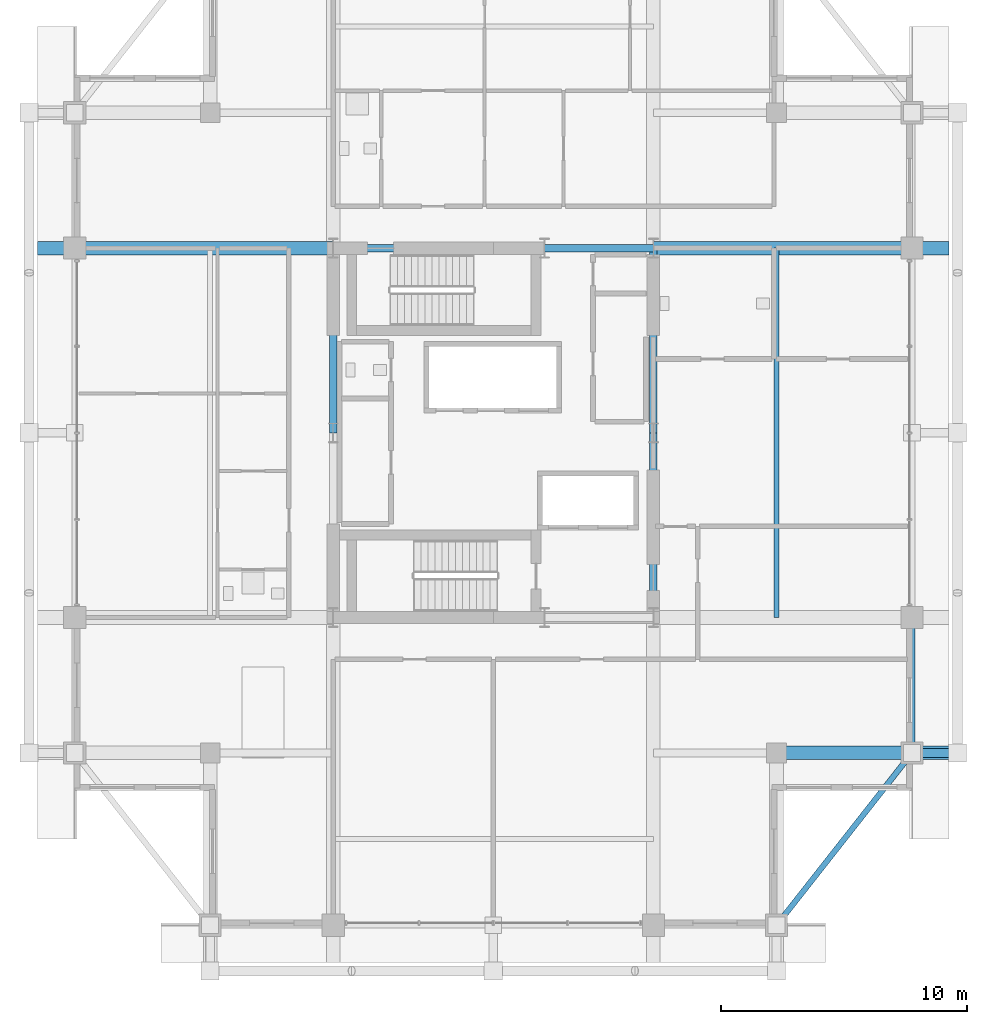
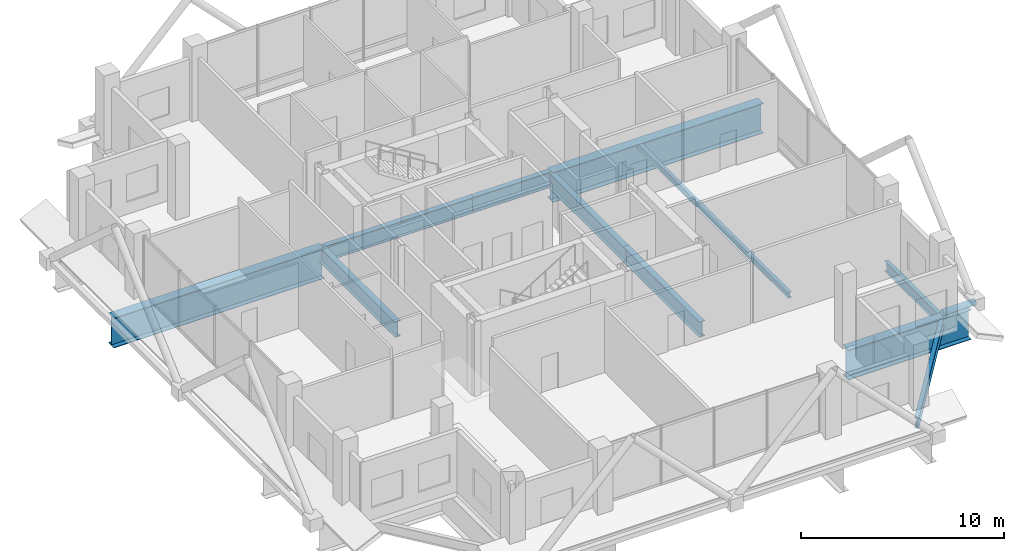
# One storey, part 12 of 27: 11 beams, 1 member.
"""IFC4 building model written with IfcOpenShell, lengths in metres."""

from ifc_helpers import new_model, si_unit, direction, frame, origin, origin_2d, place, context, subcontext, project, spatial, hollow_circle, i_section, extrude, material, material_profile, profile_set, type_object, element, save


model = new_model("IFC4")

# Units and contexts
model_context = context("Model", 3, precision=1e-05, world=origin(), true_north=direction((0.0, 1.0)))
body_context = subcontext(model_context, "Body", "Model", "MODEL_VIEW")
ifc_project = project(units=[si_unit("LENGTHUNIT", "METRE"), si_unit("AREAUNIT", "SQUARE_METRE"), si_unit("VOLUMEUNIT", "CUBIC_METRE"), si_unit("PLANEANGLEUNIT", "RADIAN"), si_unit("MASSUNIT", "GRAM", prefix="KILO")], contexts=[model_context])

# Site, building, storey
site_placement = place(None, origin())
site = spatial("IfcSite", under=ifc_project, at=site_placement, CompositionType="ELEMENT")
building_placement = place(site_placement, origin())
building = spatial("IfcBuilding", under=site, at=building_placement, Name="Barlavira Tower and Art Museum", CompositionType="ELEMENT")
storey_placement = place(building_placement, frame((0.0, 0.0, 217.800048828125)))
storey = spatial("IfcBuildingStorey", under=building, at=storey_placement, Name="L56", CompositionType="ELEMENT", Elevation=217.800048828125)

# Member
ifc_material = material(Name="Steel S355", Category="steel")
ifc_material_profile_1 = material_profile(ifc_material, hollow_circle(Radius=0.177734375, WallThickness=0.01611328125, at=origin_2d()), Name="CHS 355.6x16.0")
ifc_profile_set_1 = profile_set([ifc_material_profile_1], Name="Steel S355")
member_type = type_object("IfcMemberType", Name="Pale-Metal Exoskeleton Tie Strut CHS 356x16 Steel S355", PredefinedType="STRUT", material=ifc_profile_set_1)
member_placement = place(storey_placement, frame((18.85009765625, -13.0, -0.1201171875), z_axis=(-1.0, 0.0, 0.0), x_axis=(0.0, -1.0, 0.0)))
element("IfcMember", 1, at=member_placement, inside=storey, type_object=member_type, Name="L56 Exoskeleton Tie Strut E1", PredefinedType="STRUT", context=body_context, shape_type="SweptSolid", body=[
    extrude(hollow_circle(Radius=0.177734375, WallThickness=0.01611328125, at=origin_2d()), origin(), (0.0, 0.0, 1.0), 1.85009765625),
])

# Beams
ifc_material_profile_2 = material_profile(ifc_material, i_section(OverallWidth=0.30908203125, OverallDepth=0.931884765625, WebThickness=0.01953125, FlangeThickness=0.034423828125, at=origin_2d()), Name="W920x313.0")
ifc_profile_set_2 = profile_set([ifc_material_profile_2], Name="Steel S355")
beam_type_1 = type_object("IfcBeamType", Name="Setback Ring Girder W920x313 Steel S355", PredefinedType="BEAM", material=ifc_profile_set_2)
beam_1_placement = place(storey_placement, frame((-6.5, 7.5, -0.76611328125), z_axis=(1.0, 0.0, 0.0), x_axis=(0.0, 1.0, 0.0)))
element("IfcBeam", 2, at=beam_1_placement, inside=storey, type_object=beam_type_1, Name="L56 Girder C-N1", PredefinedType="BEAM", context=body_context, shape_type="SweptSolid", body=[
    extrude(i_section(OverallWidth=0.30908203125, OverallDepth=0.931884765625, WebThickness=0.01953125, FlangeThickness=0.034423828125, at=origin_2d()), origin(), (0.0, 0.0, 1.0), 8.580078125),
])
beam_2_placement = place(storey_placement, frame((2.080078125, 7.5, -0.76611328125), z_axis=(1.0, 0.0, 0.0), x_axis=(0.0, 1.0, 0.0)))
element("IfcBeam", 3, at=beam_2_placement, inside=storey, type_object=beam_type_1, Name="L56 Girder C-N2", PredefinedType="BEAM", context=body_context, shape_type="SweptSolid", body=[
    extrude(i_section(OverallWidth=0.30908203125, OverallDepth=0.931884765625, WebThickness=0.01953125, FlangeThickness=0.034423828125, at=origin_2d()), origin(), (0.0, 0.0, 1.0), 4.419921875),
])
for number, where, z_axis, x_axis, name in (
    (4, (-6.5, 0.0, -0.76611328125), (0.0, 1.0, 0.0), (-1.0, 0.0, 0.0), "L56 Girder C-W2"),
    (5, (6.5, -7.5, -0.76611328125), (0.0, 1.0, 0.0), (-1.0, 0.0, 0.0), "L56 Girder C-E1"),
    (6, (6.5, 0.0, -0.76611328125), (0.0, 1.0, 0.0), (-1.0, 0.0, 0.0), "L56 Girder C-E2"),
):
    element("IfcBeam", number, at=place(storey_placement, frame(where, z_axis=z_axis, x_axis=x_axis)), inside=storey, type_object=beam_type_1, Name=name, PredefinedType="BEAM", context=body_context, shape_type="SweptSolid", body=[
        extrude(i_section(OverallWidth=0.30908203125, OverallDepth=0.931884765625, WebThickness=0.01953125, FlangeThickness=0.034423828125, at=origin_2d()), origin(), (0.0, 0.0, 1.0), 7.5),
    ])
ifc_material_profile_3 = material_profile(ifc_material, i_section(OverallWidth=0.22998046875, OverallDepth=0.616943359375, WebThickness=0.01318359375, FlangeThickness=0.022216796875, at=origin_2d()), Name="W610x140.0")
ifc_profile_set_3 = profile_set([ifc_material_profile_3], Name="Steel S355")
beam_type_2 = type_object("IfcBeamType", Name="Upper Shaft Spandrel Edge Beam W610x140 Steel S355", PredefinedType="SPANDREL", material=ifc_profile_set_3)
beam_3_placement = place(storey_placement, frame((11.5, -20.0, -0.608642578125), z_axis=(0.617821551932, 0.786318338822, 0.0), x_axis=(-0.786318338822, 0.617821551932, 0.0)))
element("IfcBeam", 7, at=beam_3_placement, inside=storey, type_object=beam_type_2, Name="L56 Spandrel 4", PredefinedType="SPANDREL", context=body_context, shape_type="SweptSolid", body=[
    extrude(i_section(OverallWidth=0.22998046875, OverallDepth=0.616943359375, WebThickness=0.01318359375, FlangeThickness=0.022216796875, at=origin_2d()), origin(), (0.0, 0.0, 1.0), 8.90234375),
])
beam_4_placement = place(storey_placement, frame((17.0, -13.0, -0.608642578125), z_axis=(0.0, 1.0, 0.0), x_axis=(-1.0, 0.0, 0.0)))
element("IfcBeam", 8, at=beam_4_placement, inside=storey, type_object=beam_type_2, Name="L56 Spandrel 5", PredefinedType="SPANDREL", context=body_context, shape_type="SweptSolid", body=[
    extrude(i_section(OverallWidth=0.22998046875, OverallDepth=0.616943359375, WebThickness=0.01318359375, FlangeThickness=0.022216796875, at=origin_2d()), origin(), (0.0, 0.0, 1.0), 5.5),
])
ifc_material_profile_4 = material_profile(ifc_material, i_section(OverallWidth=0.202880859375, OverallDepth=0.346923828125, WebThickness=0.0078125, FlangeThickness=0.013427734375, at=origin_2d()), Name="W360x64.0")
ifc_profile_set_4 = profile_set([ifc_material_profile_4], Name="Steel S355")
beam_type_3 = type_object("IfcBeamType", Name="Zone 4 Composite Floor Joist W360x64 Steel S355", PredefinedType="JOIST", material=ifc_profile_set_4)
beam_5_placement = place(storey_placement, frame((11.5, -7.5, -0.4736328125), z_axis=(0.0, 1.0, 0.0), x_axis=(-1.0, 0.0, 0.0)))
element("IfcBeam", 9, at=beam_5_placement, inside=storey, type_object=beam_type_3, Name="L56 Joist W2", PredefinedType="JOIST", context=body_context, shape_type="SweptSolid", body=[
    extrude(i_section(OverallWidth=0.202880859375, OverallDepth=0.346923828125, WebThickness=0.0078125, FlangeThickness=0.013427734375, at=origin_2d()), origin(), (0.0, 0.0, 1.0), 15.0),
])
ifc_material_profile_5 = material_profile(ifc_material, i_section(OverallWidth=0.550048828125, OverallDepth=1.800048828125, WebThickness=0.02587890625, FlangeThickness=0.033935546875, at=origin_2d()), Name="CVS1800x520")
ifc_profile_set_5 = profile_set([ifc_material_profile_5], Name="Steel S355")
beam_type_4 = type_object("IfcBeamType", Name="Zone Setback Transfer Girder CVS1800x520 Steel S355", PredefinedType="USERDEFINED", material=ifc_profile_set_5)
beam_6_placement = place(storey_placement, frame((-18.5, 7.5, -1.199951171875), z_axis=(1.0, 0.0, 0.0), x_axis=(0.0, 1.0, 0.0)))
element("IfcBeam", 10, at=beam_6_placement, inside=storey, type_object=beam_type_4, Name="L56 Setback Transfer Girder TGL56-08B", ObjectType="TRANSFER GIRDER", PredefinedType="USERDEFINED", context=body_context, shape_type="SweptSolid", body=[
    extrude(i_section(OverallWidth=0.550048828125, OverallDepth=1.800048828125, WebThickness=0.02587890625, FlangeThickness=0.033935546875, at=origin_2d()), origin(), (0.0, 0.0, 1.0), 12.0),
])
beam_7_placement = place(storey_placement, frame((11.5, -13.0, -1.199951171875), z_axis=(1.0, 0.0, 0.0), x_axis=(0.0, 1.0, 0.0)))
element("IfcBeam", 11, at=beam_7_placement, inside=storey, type_object=beam_type_4, Name="L56 Setback Transfer Girder TGL56-10", ObjectType="TRANSFER GIRDER", PredefinedType="USERDEFINED", context=body_context, shape_type="SweptSolid", body=[
    extrude(i_section(OverallWidth=0.550048828125, OverallDepth=1.800048828125, WebThickness=0.02587890625, FlangeThickness=0.033935546875, at=origin_2d()), origin(), (0.0, 0.0, 1.0), 7.0),
])
beam_8_placement = place(storey_placement, frame((6.5, 7.5, -1.199951171875), z_axis=(1.0, 0.0, 0.0), x_axis=(0.0, 1.0, 0.0)))
element("IfcBeam", 12, at=beam_8_placement, inside=storey, type_object=beam_type_4, Name="L56 Setback Transfer Girder TGL56-11B", ObjectType="TRANSFER GIRDER", PredefinedType="USERDEFINED", context=body_context, shape_type="SweptSolid", body=[
    extrude(i_section(OverallWidth=0.550048828125, OverallDepth=1.800048828125, WebThickness=0.02587890625, FlangeThickness=0.033935546875, at=origin_2d()), origin(), (0.0, 0.0, 1.0), 12.0),
])

save(model, "model.ifc")
